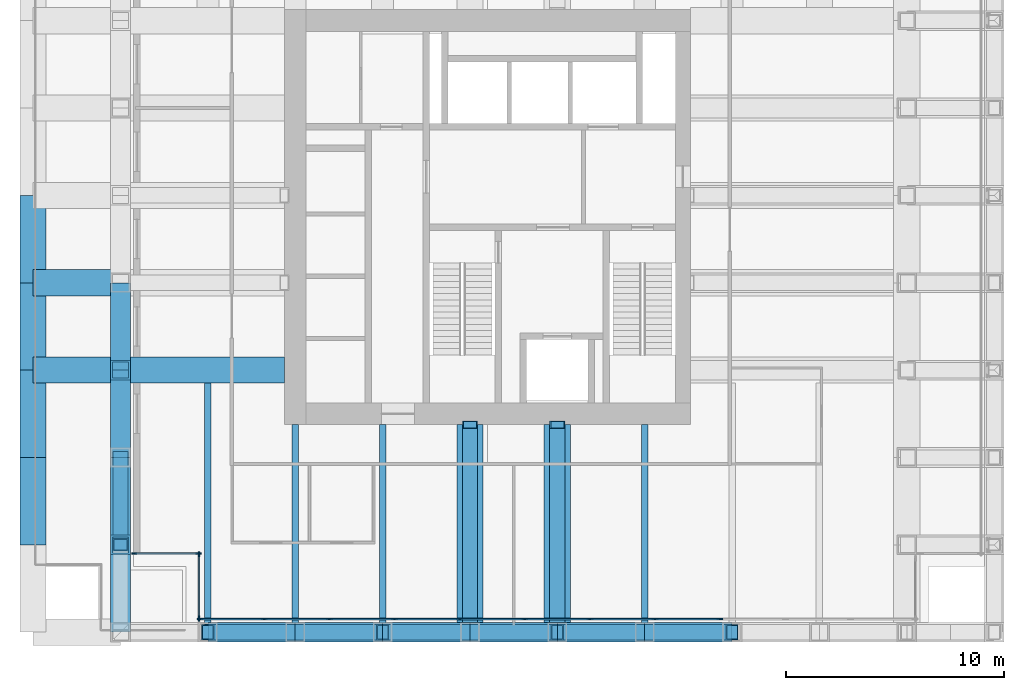
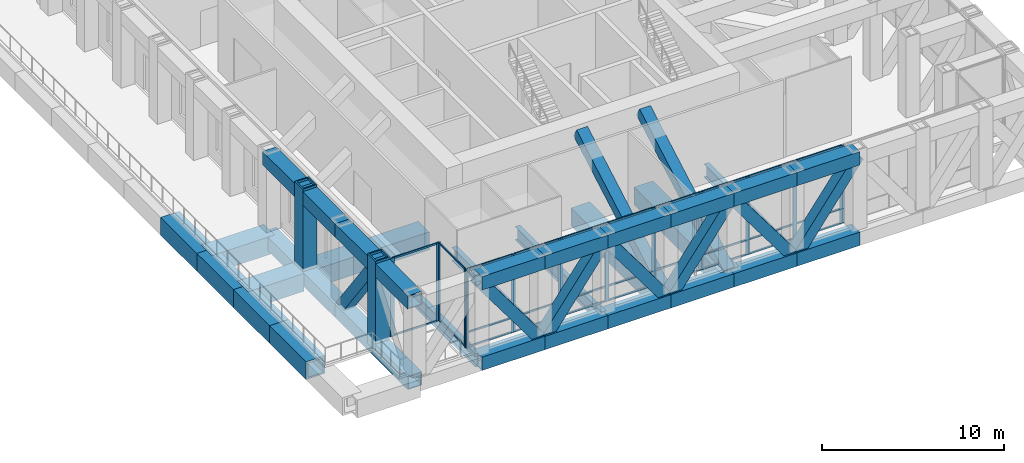
# One storey, part 2 of 12: 52 members, 31 beams, 3 elements without a shape of their own.
"""IFC4 building model written with IfcOpenShell, lengths in metres."""

from ifc_helpers import new_model, si_unit, direction, frame, origin, origin_2d, place, context, subcontext, project, spatial, rectangle, hollow_rectangle, i_section, extrude, material, material_profile, profile_set, type_object, element, aggregate, save


model = new_model("IFC4")

# Units and contexts
model_context = context("Model", 3, precision=1e-05, world=origin(), true_north=direction((0.0, 1.0)))
body_context = subcontext(model_context, "Body", "Model", "MODEL_VIEW")
ifc_project = project(units=[si_unit("LENGTHUNIT", "METRE"), si_unit("AREAUNIT", "SQUARE_METRE"), si_unit("VOLUMEUNIT", "CUBIC_METRE"), si_unit("PLANEANGLEUNIT", "RADIAN"), si_unit("MASSUNIT", "GRAM", prefix="KILO")], contexts=[model_context])

# Site, building, storey
site_placement = place(None, origin())
site = spatial("IfcSite", under=ifc_project, at=site_placement, CompositionType="ELEMENT")
building_placement = place(site_placement, origin())
building = spatial("IfcBuilding", under=site, at=building_placement, Name="Rimbunsela Tower", CompositionType="ELEMENT")
storey_placement = place(building_placement, frame((0.0, 0.0, 203.800048828125)))
storey = spatial("IfcBuildingStorey", under=building, at=storey_placement, Name="L49", CompositionType="ELEMENT", Elevation=203.800048828125)

# Beams
ifc_material_1 = material(Name="Steel BJ 55 (fy 410 MPa)", Category="steel")
ifc_material_profile_1 = material_profile(ifc_material_1, hollow_rectangle(XDim=1.199951171875, YDim=1.199951171875, WallThickness=0.10009765625, at=origin_2d()), Name="BOX 1200x1200x100")
ifc_profile_set_1 = profile_set([ifc_material_profile_1], Name="Steel BJ 55 (fy 410 MPa)")
beam_type_1 = type_object("IfcBeamType", Name="Beam BOX 1200x1200x100", PredefinedType="BEAM", material=ifc_profile_set_1)
beam_1_placement = place(storey_placement, frame((10.449951171875, 20.0, -0.75), z_axis=(1.0, 0.0, 0.0), x_axis=(0.0, 1.0, 0.0)))
element("IfcBeam", 1, at=beam_1_placement, inside=storey, type_object=beam_type_1, Name="Beam B5 L49", PredefinedType="BEAM", context=body_context, shape_type="SweptSolid", body=[
    extrude(hollow_rectangle(XDim=1.199951171875, YDim=1.199951171875, WallThickness=0.10009765625, at=origin_2d()), origin(), (0.0, 0.0, 1.0), 7.050048828125),
])
for number, where, z_axis, x_axis, name in (
    (2, (26.0, 8.0, -0.75), (0.0, 1.0, 0.0), (-1.0, 0.0, 0.0), "Beam B5 L49"),
    (3, (30.0, 8.0, -0.75), (0.0, 1.0, 0.0), (-1.0, 0.0, 0.0), "Beam B5 L49"),
):
    element("IfcBeam", number, at=place(storey_placement, frame(where, z_axis=z_axis, x_axis=x_axis)), inside=storey, type_object=beam_type_1, Name=name, PredefinedType="BEAM", context=body_context, shape_type="SweptSolid", body=[
        extrude(hollow_rectangle(XDim=1.199951171875, YDim=1.199951171875, WallThickness=0.10009765625, at=origin_2d()), origin(), (0.0, 0.0, 1.0), 9.5),
    ])
ifc_material_2 = material(Name="Steel BJ 55 (fy 410 MPa)", Category="steel")
ifc_material_profile_2 = material_profile(ifc_material_2, hollow_rectangle(XDim=1.199951171875, YDim=1.199951171875, WallThickness=0.125, at=origin_2d()), Name="BOX 1200x1200x125")
ifc_profile_set_2 = profile_set([ifc_material_profile_2], Name="Steel BJ 55 (fy 410 MPa)")
beam_type_2 = type_object("IfcBeamType", Name="Beam BOX 1200x1200x125", PredefinedType="BEAM", material=ifc_profile_set_2)
for number, where, z_axis, x_axis, name in (
    (4, (6.0, 12.0, -0.75), (0.0, 1.0, 0.0), (-1.0, 0.0, 0.0), "Beam B4 L49"),
    (5, (6.0, 16.0, -0.75), (0.0, 1.0, 0.0), (-1.0, 0.0, 0.0), "Beam B4 L49"),
    (6, (6.0, 20.0, -0.75), (0.0, 1.0, 0.0), (-1.0, 0.0, 0.0), "Beam B4 L49"),
):
    element("IfcBeam", number, at=place(storey_placement, frame(where, z_axis=z_axis, x_axis=x_axis)), inside=storey, type_object=beam_type_2, Name=name, PredefinedType="BEAM", context=body_context, shape_type="SweptSolid", body=[
        extrude(hollow_rectangle(XDim=1.199951171875, YDim=1.199951171875, WallThickness=0.125, at=origin_2d()), origin(), (0.0, 0.0, 1.0), 4.0),
    ])
beam_2_placement = place(storey_placement, frame((6.0, 20.0, -0.75), z_axis=(1.0, 0.0, 0.0), x_axis=(0.0, 1.0, 0.0)))
element("IfcBeam", 7, at=beam_2_placement, inside=storey, type_object=beam_type_2, Name="Beam B4 L49", PredefinedType="BEAM", context=body_context, shape_type="SweptSolid", body=[
    extrude(hollow_rectangle(XDim=1.199951171875, YDim=1.199951171875, WallThickness=0.125, at=origin_2d()), origin(), (0.0, 0.0, 1.0), 3.550048828125),
])
for number, where, z_axis, x_axis, name in (
    (8, (6.0, 24.0, -0.75), (0.0, 1.0, 0.0), (-1.0, 0.0, 0.0), "Beam B4 L49"),
    (9, (6.0, 24.0, -0.75), (1.0, 0.0, 0.0), (0.0, 1.0, 0.0), "Beam B4 L49"),
):
    element("IfcBeam", number, at=place(storey_placement, frame(where, z_axis=z_axis, x_axis=x_axis)), inside=storey, type_object=beam_type_2, Name=name, PredefinedType="BEAM", context=body_context, shape_type="SweptSolid", body=[
        extrude(hollow_rectangle(XDim=1.199951171875, YDim=1.199951171875, WallThickness=0.125, at=origin_2d()), origin(), (0.0, 0.0, 1.0), 4.0),
    ])
ifc_material_3 = material(Name="Steel BJ 55 (fy 410 MPa)", Category="steel")
ifc_material_profile_3 = material_profile(ifc_material_3, i_section(OverallWidth=0.300048828125, OverallDepth=0.89990234375, WebThickness=0.01611328125, FlangeThickness=0.028076171875, FilletRadius=0.028076171875, at=origin_2d()), Name="H 900x300x16x28")
ifc_profile_set_3 = profile_set([ifc_material_profile_3], Name="Steel BJ 55 (fy 410 MPa)")
beam_type_3 = type_object("IfcBeamType", Name="Beam H 900x300x16x28", PredefinedType="BEAM", material=ifc_profile_set_3)
beam_3_placement = place(storey_placement, frame((14.0, 8.0, -0.60009765625), z_axis=(0.0, 1.0, 0.0), x_axis=(-1.0, 0.0, 0.0)))
element("IfcBeam", 10, at=beam_3_placement, inside=storey, type_object=beam_type_3, Name="Beam B2 L49", PredefinedType="BEAM", context=body_context, shape_type="SweptSolid", body=[
    extrude(i_section(OverallWidth=0.300048828125, OverallDepth=0.89990234375, WebThickness=0.01611328125, FlangeThickness=0.028076171875, FilletRadius=0.028076171875, at=origin_2d()), origin(), (0.0, 0.0, 1.0), 11.39990234375),
])
for number, where, z_axis, x_axis, name in (
    (11, (18.0, 8.0, -0.60009765625), (0.0, 1.0, 0.0), (-1.0, 0.0, 0.0), "Beam B2 L49"),
    (12, (22.0, 8.0, -0.60009765625), (0.0, 1.0, 0.0), (-1.0, 0.0, 0.0), "Beam B2 L49"),
    (13, (34.0, 8.0, -0.60009765625), (0.0, 1.0, 0.0), (-1.0, 0.0, 0.0), "Beam B2 L49"),
):
    element("IfcBeam", number, at=place(storey_placement, frame(where, z_axis=z_axis, x_axis=x_axis)), inside=storey, type_object=beam_type_3, Name=name, PredefinedType="BEAM", context=body_context, shape_type="SweptSolid", body=[
        extrude(i_section(OverallWidth=0.300048828125, OverallDepth=0.89990234375, WebThickness=0.01611328125, FlangeThickness=0.028076171875, FilletRadius=0.028076171875, at=origin_2d()), origin(), (0.0, 0.0, 1.0), 9.5),
    ])

# Curtain wall, members
ifc_material_4 = material(Name="Aluminium curtain wall", Category="aluminium")
curtain_wall_type_1 = type_object("IfcCurtainWallType", Name="Corner glazing", PredefinedType="USERDEFINED", material=ifc_material_4)
curtain_wall_1_placement = place(storey_placement, origin())
curtain_wall_1 = element("IfcCurtainWall", 14, at=curtain_wall_1_placement, inside=storey, type_object=curtain_wall_type_1, Name="Corner glazing L49", ObjectType="CORNER GLAZING", PredefinedType="USERDEFINED")
ifc_material_5 = material(Name="Aluminium mullion", Category="aluminium")
ifc_material_profile_4 = material_profile(ifc_material_5, rectangle(XDim=0.06005859375, YDim=0.25, at=origin_2d()), Name="Mullion 60x250")
ifc_profile_set_4 = profile_set([ifc_material_profile_4], Name="Aluminium mullion")
member_type_1 = type_object("IfcMemberType", Name="Curtain wall mullion 60x250", PredefinedType="MULLION", material=ifc_profile_set_4)
member_1_placement = place(storey_placement, frame((10.6298828125, 11.60009765625, 0.0), z_axis=(0.0, 0.0, 1.0), x_axis=(0.0, 1.0, 0.0)))
member_1 = element("IfcMember", 15, at=member_1_placement, type_object=member_type_1, Name="CW5 mullion 1", PredefinedType="MULLION", context=body_context, shape_type="SweptSolid", body=[
    extrude(rectangle(XDim=0.06005859375, YDim=0.25, at=origin_2d()), origin(), (0.0, 0.0, 1.0), 5.25),
])
member_2_placement = place(storey_placement, frame((13.570068359375, 11.60009765625, 0.0), z_axis=(0.0, 0.0, 1.0), x_axis=(0.0, 1.0, 0.0)))
member_2 = element("IfcMember", 16, at=member_2_placement, type_object=member_type_1, Name="CW5 mullion 2", PredefinedType="MULLION", context=body_context, shape_type="SweptSolid", body=[
    extrude(rectangle(XDim=0.06005859375, YDim=0.25, at=origin_2d()), origin(), (0.0, 0.0, 1.0), 5.25),
])

curtain_wall_2_placement = place(storey_placement, origin())
curtain_wall_2 = element("IfcCurtainWall", 17, at=curtain_wall_2_placement, inside=storey, type_object=curtain_wall_type_1, Name="Corner glazing L49", ObjectType="CORNER GLAZING", PredefinedType="USERDEFINED")
member_3_placement = place(storey_placement, frame((13.60009765625, 11.570068359375, 0.0), z_axis=(0.0, 0.0, 1.0), x_axis=(1.0, 0.0, 0.0)))
member_3 = element("IfcMember", 18, at=member_3_placement, type_object=member_type_1, Name="CW5 mullion 1", PredefinedType="MULLION", context=body_context, shape_type="SweptSolid", body=[
    extrude(rectangle(XDim=0.06005859375, YDim=0.25, at=origin_2d()), origin(), (0.0, 0.0, 1.0), 5.25),
])
member_4_placement = place(storey_placement, frame((13.60009765625, 8.6298828125, 0.0), z_axis=(0.0, 0.0, 1.0), x_axis=(1.0, 0.0, 0.0)))
member_4 = element("IfcMember", 19, at=member_4_placement, type_object=member_type_1, Name="CW5 mullion 2", PredefinedType="MULLION", context=body_context, shape_type="SweptSolid", body=[
    extrude(rectangle(XDim=0.06005859375, YDim=0.25, at=origin_2d()), origin(), (0.0, 0.0, 1.0), 5.25),
])

ifc_material_6 = material(Name="Aluminium curtain wall", Category="aluminium")
curtain_wall_type_2 = type_object("IfcCurtainWallType", Name="Plant floor louvre wall", PredefinedType="USERDEFINED", material=ifc_material_6)
curtain_wall_3_placement = place(storey_placement, origin())
curtain_wall_3 = element("IfcCurtainWall", 20, at=curtain_wall_3_placement, inside=storey, type_object=curtain_wall_type_2, Name="Plant floor louvre wall L49", ObjectType="PLANT FLOOR LOUVRE WALL", PredefinedType="USERDEFINED")
member_5_placement = place(storey_placement, frame((13.6298828125, 8.60009765625, 0.0), z_axis=(0.0, 0.0, 1.0), x_axis=(0.0, 1.0, 0.0)))
member_5 = element("IfcMember", 21, at=member_5_placement, type_object=member_type_1, Name="CW3 mullion 1", PredefinedType="MULLION", context=body_context, shape_type="SweptSolid", body=[
    extrude(rectangle(XDim=0.06005859375, YDim=0.25, at=origin_2d()), origin(), (0.0, 0.0, 1.0), 5.25),
])
member_6_placement = place(storey_placement, frame((16.581787109375, 8.60009765625, 0.0), z_axis=(0.0, 0.0, 1.0), x_axis=(0.0, 1.0, 0.0)))
member_6 = element("IfcMember", 22, at=member_6_placement, type_object=member_type_1, Name="CW3 mullion 2", PredefinedType="MULLION", context=body_context, shape_type="SweptSolid", body=[
    extrude(rectangle(XDim=0.06005859375, YDim=0.25, at=origin_2d()), origin(), (0.0, 0.0, 1.0), 5.25),
])
member_7_placement = place(storey_placement, frame((19.563720703125, 8.60009765625, 0.0), z_axis=(0.0, 0.0, 1.0), x_axis=(0.0, 1.0, 0.0)))
member_7 = element("IfcMember", 23, at=member_7_placement, type_object=member_type_1, Name="CW3 mullion 3", PredefinedType="MULLION", context=body_context, shape_type="SweptSolid", body=[
    extrude(rectangle(XDim=0.06005859375, YDim=0.25, at=origin_2d()), origin(), (0.0, 0.0, 1.0), 5.25),
])
member_8_placement = place(storey_placement, frame((22.54541015625, 8.60009765625, 0.0), z_axis=(0.0, 0.0, 1.0), x_axis=(0.0, 1.0, 0.0)))
member_8 = element("IfcMember", 24, at=member_8_placement, type_object=member_type_1, Name="CW3 mullion 4", PredefinedType="MULLION", context=body_context, shape_type="SweptSolid", body=[
    extrude(rectangle(XDim=0.06005859375, YDim=0.25, at=origin_2d()), origin(), (0.0, 0.0, 1.0), 5.25),
])
member_9_placement = place(storey_placement, frame((25.52734375, 8.60009765625, 0.0), z_axis=(0.0, 0.0, 1.0), x_axis=(0.0, 1.0, 0.0)))
member_9 = element("IfcMember", 25, at=member_9_placement, type_object=member_type_1, Name="CW3 mullion 5", PredefinedType="MULLION", context=body_context, shape_type="SweptSolid", body=[
    extrude(rectangle(XDim=0.06005859375, YDim=0.25, at=origin_2d()), origin(), (0.0, 0.0, 1.0), 5.25),
])
member_10_placement = place(storey_placement, frame((28.509033203125, 8.60009765625, 0.0), z_axis=(0.0, 0.0, 1.0), x_axis=(0.0, 1.0, 0.0)))
member_10 = element("IfcMember", 26, at=member_10_placement, type_object=member_type_1, Name="CW3 mullion 6", PredefinedType="MULLION", context=body_context, shape_type="SweptSolid", body=[
    extrude(rectangle(XDim=0.06005859375, YDim=0.25, at=origin_2d()), origin(), (0.0, 0.0, 1.0), 5.25),
])
member_11_placement = place(storey_placement, frame((31.490966796875, 8.60009765625, 0.0), z_axis=(0.0, 0.0, 1.0), x_axis=(0.0, 1.0, 0.0)))
member_11 = element("IfcMember", 27, at=member_11_placement, type_object=member_type_1, Name="CW3 mullion 7", PredefinedType="MULLION", context=body_context, shape_type="SweptSolid", body=[
    extrude(rectangle(XDim=0.06005859375, YDim=0.25, at=origin_2d()), origin(), (0.0, 0.0, 1.0), 5.25),
])
member_12_placement = place(storey_placement, frame((34.47265625, 8.60009765625, 0.0), z_axis=(0.0, 0.0, 1.0), x_axis=(0.0, 1.0, 0.0)))
member_12 = element("IfcMember", 28, at=member_12_placement, type_object=member_type_1, Name="CW3 mullion 8", PredefinedType="MULLION", context=body_context, shape_type="SweptSolid", body=[
    extrude(rectangle(XDim=0.06005859375, YDim=0.25, at=origin_2d()), origin(), (0.0, 0.0, 1.0), 5.25),
])
member_13_placement = place(storey_placement, frame((37.45458984375, 8.60009765625, 0.0), z_axis=(0.0, 0.0, 1.0), x_axis=(0.0, 1.0, 0.0)))
member_13 = element("IfcMember", 29, at=member_13_placement, type_object=member_type_1, Name="CW3 mullion 9", PredefinedType="MULLION", context=body_context, shape_type="SweptSolid", body=[
    extrude(rectangle(XDim=0.06005859375, YDim=0.25, at=origin_2d()), origin(), (0.0, 0.0, 1.0), 5.25),
])

# Member
ifc_material_7 = material(Name="Aluminium transom", Category="aluminium")
ifc_material_profile_5 = material_profile(ifc_material_7, rectangle(XDim=0.06005859375, YDim=0.1201171875, at=origin_2d()), Name="Transom 60x120")
ifc_profile_set_5 = profile_set([ifc_material_profile_5], Name="Aluminium transom")
member_type_2 = type_object("IfcMemberType", Name="Curtain wall transom 60x120", PredefinedType="USERDEFINED", material=ifc_profile_set_5)
member_14_placement = place(storey_placement, frame((10.659912109375, 11.60009765625, 0.030029296875), z_axis=(1.0, 0.0, 0.0), x_axis=(0.0, 1.0, 0.0)))
member_14 = element("IfcMember", 30, at=member_14_placement, type_object=member_type_2, Name="CW5 transom 1.1", ObjectType="TRANSOM", PredefinedType="USERDEFINED", context=body_context, shape_type="SweptSolid", body=[
    extrude(rectangle(XDim=0.06005859375, YDim=0.1201171875, at=origin_2d()), origin(), (0.0, 0.0, 1.0), 2.880126953125),
])

member_15_placement = place(storey_placement, frame((10.659912109375, 11.60009765625, 5.219970703125), z_axis=(1.0, 0.0, 0.0), x_axis=(0.0, 1.0, 0.0)))
member_15 = element("IfcMember", 31, at=member_15_placement, type_object=member_type_2, Name="CW5 transom 1.2", ObjectType="TRANSOM", PredefinedType="USERDEFINED", context=body_context, shape_type="SweptSolid", body=[
    extrude(rectangle(XDim=0.06005859375, YDim=0.1201171875, at=origin_2d()), origin(), (0.0, 0.0, 1.0), 2.880126953125),
])

aggregate(curtain_wall_1, [member_1, member_2, member_14, member_15])

member_16_placement = place(storey_placement, frame((13.60009765625, 11.5400390625, 0.030029296875), z_axis=(0.0, -1.0, 0.0), x_axis=(1.0, 0.0, 0.0)))
member_16 = element("IfcMember", 32, at=member_16_placement, type_object=member_type_2, Name="CW5 transom 1.1", ObjectType="TRANSOM", PredefinedType="USERDEFINED", context=body_context, shape_type="SweptSolid", body=[
    extrude(rectangle(XDim=0.06005859375, YDim=0.1201171875, at=origin_2d()), origin(), (0.0, 0.0, 1.0), 2.880126953125),
])

member_17_placement = place(storey_placement, frame((13.60009765625, 11.5400390625, 5.219970703125), z_axis=(0.0, -1.0, 0.0), x_axis=(1.0, 0.0, 0.0)))
member_17 = element("IfcMember", 33, at=member_17_placement, type_object=member_type_2, Name="CW5 transom 1.2", ObjectType="TRANSOM", PredefinedType="USERDEFINED", context=body_context, shape_type="SweptSolid", body=[
    extrude(rectangle(XDim=0.06005859375, YDim=0.1201171875, at=origin_2d()), origin(), (0.0, 0.0, 1.0), 2.880126953125),
])

aggregate(curtain_wall_2, [member_3, member_4, member_16, member_17])

member_18_placement = place(storey_placement, frame((13.659912109375, 8.60009765625, 0.030029296875), z_axis=(1.0, 0.0, 0.0), x_axis=(0.0, 1.0, 0.0)))
member_18 = element("IfcMember", 34, at=member_18_placement, type_object=member_type_2, Name="CW3 transom 1.1", ObjectType="TRANSOM", PredefinedType="USERDEFINED", context=body_context, shape_type="SweptSolid", body=[
    extrude(rectangle(XDim=0.06005859375, YDim=0.1201171875, at=origin_2d()), origin(), (0.0, 0.0, 1.0), 2.891845703125),
])

member_19_placement = place(storey_placement, frame((13.659912109375, 8.60009765625, 1.0), z_axis=(1.0, 0.0, 0.0), x_axis=(0.0, 1.0, 0.0)))
member_19 = element("IfcMember", 35, at=member_19_placement, type_object=member_type_2, Name="CW3 transom 1.2", ObjectType="TRANSOM", PredefinedType="USERDEFINED", context=body_context, shape_type="SweptSolid", body=[
    extrude(rectangle(XDim=0.06005859375, YDim=0.1201171875, at=origin_2d()), origin(), (0.0, 0.0, 1.0), 2.891845703125),
])

member_20_placement = place(storey_placement, frame((13.659912109375, 8.60009765625, 5.219970703125), z_axis=(1.0, 0.0, 0.0), x_axis=(0.0, 1.0, 0.0)))
member_20 = element("IfcMember", 36, at=member_20_placement, type_object=member_type_2, Name="CW3 transom 1.3", ObjectType="TRANSOM", PredefinedType="USERDEFINED", context=body_context, shape_type="SweptSolid", body=[
    extrude(rectangle(XDim=0.06005859375, YDim=0.1201171875, at=origin_2d()), origin(), (0.0, 0.0, 1.0), 2.891845703125),
])

member_21_placement = place(storey_placement, frame((16.61181640625, 8.60009765625, 0.030029296875), z_axis=(1.0, 0.0, 0.0), x_axis=(0.0, 1.0, 0.0)))
member_21 = element("IfcMember", 37, at=member_21_placement, type_object=member_type_2, Name="CW3 transom 2.1", ObjectType="TRANSOM", PredefinedType="USERDEFINED", context=body_context, shape_type="SweptSolid", body=[
    extrude(rectangle(XDim=0.06005859375, YDim=0.1201171875, at=origin_2d()), origin(), (0.0, 0.0, 1.0), 2.921875),
])

member_22_placement = place(storey_placement, frame((16.61181640625, 8.60009765625, 1.0), z_axis=(1.0, 0.0, 0.0), x_axis=(0.0, 1.0, 0.0)))
member_22 = element("IfcMember", 38, at=member_22_placement, type_object=member_type_2, Name="CW3 transom 2.2", ObjectType="TRANSOM", PredefinedType="USERDEFINED", context=body_context, shape_type="SweptSolid", body=[
    extrude(rectangle(XDim=0.06005859375, YDim=0.1201171875, at=origin_2d()), origin(), (0.0, 0.0, 1.0), 2.921875),
])

member_23_placement = place(storey_placement, frame((16.61181640625, 8.60009765625, 5.219970703125), z_axis=(1.0, 0.0, 0.0), x_axis=(0.0, 1.0, 0.0)))
member_23 = element("IfcMember", 39, at=member_23_placement, type_object=member_type_2, Name="CW3 transom 2.3", ObjectType="TRANSOM", PredefinedType="USERDEFINED", context=body_context, shape_type="SweptSolid", body=[
    extrude(rectangle(XDim=0.06005859375, YDim=0.1201171875, at=origin_2d()), origin(), (0.0, 0.0, 1.0), 2.921875),
])

member_24_placement = place(storey_placement, frame((19.59375, 8.60009765625, 0.030029296875), z_axis=(1.0, 0.0, 0.0), x_axis=(0.0, 1.0, 0.0)))
member_24 = element("IfcMember", 40, at=member_24_placement, type_object=member_type_2, Name="CW3 transom 3.1", ObjectType="TRANSOM", PredefinedType="USERDEFINED", context=body_context, shape_type="SweptSolid", body=[
    extrude(rectangle(XDim=0.06005859375, YDim=0.1201171875, at=origin_2d()), origin(), (0.0, 0.0, 1.0), 2.921630859375),
])

member_25_placement = place(storey_placement, frame((19.59375, 8.60009765625, 1.0), z_axis=(1.0, 0.0, 0.0), x_axis=(0.0, 1.0, 0.0)))
member_25 = element("IfcMember", 41, at=member_25_placement, type_object=member_type_2, Name="CW3 transom 3.2", ObjectType="TRANSOM", PredefinedType="USERDEFINED", context=body_context, shape_type="SweptSolid", body=[
    extrude(rectangle(XDim=0.06005859375, YDim=0.1201171875, at=origin_2d()), origin(), (0.0, 0.0, 1.0), 2.921630859375),
])

member_26_placement = place(storey_placement, frame((19.59375, 8.60009765625, 5.219970703125), z_axis=(1.0, 0.0, 0.0), x_axis=(0.0, 1.0, 0.0)))
member_26 = element("IfcMember", 42, at=member_26_placement, type_object=member_type_2, Name="CW3 transom 3.3", ObjectType="TRANSOM", PredefinedType="USERDEFINED", context=body_context, shape_type="SweptSolid", body=[
    extrude(rectangle(XDim=0.06005859375, YDim=0.1201171875, at=origin_2d()), origin(), (0.0, 0.0, 1.0), 2.921630859375),
])

member_27_placement = place(storey_placement, frame((22.575439453125, 8.60009765625, 0.030029296875), z_axis=(1.0, 0.0, 0.0), x_axis=(0.0, 1.0, 0.0)))
member_27 = element("IfcMember", 43, at=member_27_placement, type_object=member_type_2, Name="CW3 transom 4.1", ObjectType="TRANSOM", PredefinedType="USERDEFINED", context=body_context, shape_type="SweptSolid", body=[
    extrude(rectangle(XDim=0.06005859375, YDim=0.1201171875, at=origin_2d()), origin(), (0.0, 0.0, 1.0), 2.921875),
])

member_28_placement = place(storey_placement, frame((22.575439453125, 8.60009765625, 1.0), z_axis=(1.0, 0.0, 0.0), x_axis=(0.0, 1.0, 0.0)))
member_28 = element("IfcMember", 44, at=member_28_placement, type_object=member_type_2, Name="CW3 transom 4.2", ObjectType="TRANSOM", PredefinedType="USERDEFINED", context=body_context, shape_type="SweptSolid", body=[
    extrude(rectangle(XDim=0.06005859375, YDim=0.1201171875, at=origin_2d()), origin(), (0.0, 0.0, 1.0), 2.921875),
])

member_29_placement = place(storey_placement, frame((22.575439453125, 8.60009765625, 5.219970703125), z_axis=(1.0, 0.0, 0.0), x_axis=(0.0, 1.0, 0.0)))
member_29 = element("IfcMember", 45, at=member_29_placement, type_object=member_type_2, Name="CW3 transom 4.3", ObjectType="TRANSOM", PredefinedType="USERDEFINED", context=body_context, shape_type="SweptSolid", body=[
    extrude(rectangle(XDim=0.06005859375, YDim=0.1201171875, at=origin_2d()), origin(), (0.0, 0.0, 1.0), 2.921875),
])

member_30_placement = place(storey_placement, frame((25.557373046875, 8.60009765625, 0.030029296875), z_axis=(1.0, 0.0, 0.0), x_axis=(0.0, 1.0, 0.0)))
member_30 = element("IfcMember", 46, at=member_30_placement, type_object=member_type_2, Name="CW3 transom 5.1", ObjectType="TRANSOM", PredefinedType="USERDEFINED", context=body_context, shape_type="SweptSolid", body=[
    extrude(rectangle(XDim=0.06005859375, YDim=0.1201171875, at=origin_2d()), origin(), (0.0, 0.0, 1.0), 2.921630859375),
])

member_31_placement = place(storey_placement, frame((25.557373046875, 8.60009765625, 1.0), z_axis=(1.0, 0.0, 0.0), x_axis=(0.0, 1.0, 0.0)))
member_31 = element("IfcMember", 47, at=member_31_placement, type_object=member_type_2, Name="CW3 transom 5.2", ObjectType="TRANSOM", PredefinedType="USERDEFINED", context=body_context, shape_type="SweptSolid", body=[
    extrude(rectangle(XDim=0.06005859375, YDim=0.1201171875, at=origin_2d()), origin(), (0.0, 0.0, 1.0), 2.921630859375),
])

member_32_placement = place(storey_placement, frame((25.557373046875, 8.60009765625, 5.219970703125), z_axis=(1.0, 0.0, 0.0), x_axis=(0.0, 1.0, 0.0)))
member_32 = element("IfcMember", 48, at=member_32_placement, type_object=member_type_2, Name="CW3 transom 5.3", ObjectType="TRANSOM", PredefinedType="USERDEFINED", context=body_context, shape_type="SweptSolid", body=[
    extrude(rectangle(XDim=0.06005859375, YDim=0.1201171875, at=origin_2d()), origin(), (0.0, 0.0, 1.0), 2.921630859375),
])

member_33_placement = place(storey_placement, frame((28.5390625, 8.60009765625, 0.030029296875), z_axis=(1.0, 0.0, 0.0), x_axis=(0.0, 1.0, 0.0)))
member_33 = element("IfcMember", 49, at=member_33_placement, type_object=member_type_2, Name="CW3 transom 6.1", ObjectType="TRANSOM", PredefinedType="USERDEFINED", context=body_context, shape_type="SweptSolid", body=[
    extrude(rectangle(XDim=0.06005859375, YDim=0.1201171875, at=origin_2d()), origin(), (0.0, 0.0, 1.0), 2.921875),
])

member_34_placement = place(storey_placement, frame((28.5390625, 8.60009765625, 1.0), z_axis=(1.0, 0.0, 0.0), x_axis=(0.0, 1.0, 0.0)))
member_34 = element("IfcMember", 50, at=member_34_placement, type_object=member_type_2, Name="CW3 transom 6.2", ObjectType="TRANSOM", PredefinedType="USERDEFINED", context=body_context, shape_type="SweptSolid", body=[
    extrude(rectangle(XDim=0.06005859375, YDim=0.1201171875, at=origin_2d()), origin(), (0.0, 0.0, 1.0), 2.921875),
])

member_35_placement = place(storey_placement, frame((28.5390625, 8.60009765625, 5.219970703125), z_axis=(1.0, 0.0, 0.0), x_axis=(0.0, 1.0, 0.0)))
member_35 = element("IfcMember", 51, at=member_35_placement, type_object=member_type_2, Name="CW3 transom 6.3", ObjectType="TRANSOM", PredefinedType="USERDEFINED", context=body_context, shape_type="SweptSolid", body=[
    extrude(rectangle(XDim=0.06005859375, YDim=0.1201171875, at=origin_2d()), origin(), (0.0, 0.0, 1.0), 2.921875),
])

member_36_placement = place(storey_placement, frame((31.52099609375, 8.60009765625, 0.030029296875), z_axis=(1.0, 0.0, 0.0), x_axis=(0.0, 1.0, 0.0)))
member_36 = element("IfcMember", 52, at=member_36_placement, type_object=member_type_2, Name="CW3 transom 7.1", ObjectType="TRANSOM", PredefinedType="USERDEFINED", context=body_context, shape_type="SweptSolid", body=[
    extrude(rectangle(XDim=0.06005859375, YDim=0.1201171875, at=origin_2d()), origin(), (0.0, 0.0, 1.0), 2.921630859375),
])

member_37_placement = place(storey_placement, frame((31.52099609375, 8.60009765625, 1.0), z_axis=(1.0, 0.0, 0.0), x_axis=(0.0, 1.0, 0.0)))
member_37 = element("IfcMember", 53, at=member_37_placement, type_object=member_type_2, Name="CW3 transom 7.2", ObjectType="TRANSOM", PredefinedType="USERDEFINED", context=body_context, shape_type="SweptSolid", body=[
    extrude(rectangle(XDim=0.06005859375, YDim=0.1201171875, at=origin_2d()), origin(), (0.0, 0.0, 1.0), 2.921630859375),
])

member_38_placement = place(storey_placement, frame((31.52099609375, 8.60009765625, 5.219970703125), z_axis=(1.0, 0.0, 0.0), x_axis=(0.0, 1.0, 0.0)))
member_38 = element("IfcMember", 54, at=member_38_placement, type_object=member_type_2, Name="CW3 transom 7.3", ObjectType="TRANSOM", PredefinedType="USERDEFINED", context=body_context, shape_type="SweptSolid", body=[
    extrude(rectangle(XDim=0.06005859375, YDim=0.1201171875, at=origin_2d()), origin(), (0.0, 0.0, 1.0), 2.921630859375),
])

member_39_placement = place(storey_placement, frame((34.502685546875, 8.60009765625, 0.030029296875), z_axis=(1.0, 0.0, 0.0), x_axis=(0.0, 1.0, 0.0)))
member_39 = element("IfcMember", 55, at=member_39_placement, type_object=member_type_2, Name="CW3 transom 8.1", ObjectType="TRANSOM", PredefinedType="USERDEFINED", context=body_context, shape_type="SweptSolid", body=[
    extrude(rectangle(XDim=0.06005859375, YDim=0.1201171875, at=origin_2d()), origin(), (0.0, 0.0, 1.0), 2.921875),
])

member_40_placement = place(storey_placement, frame((34.502685546875, 8.60009765625, 1.0), z_axis=(1.0, 0.0, 0.0), x_axis=(0.0, 1.0, 0.0)))
member_40 = element("IfcMember", 56, at=member_40_placement, type_object=member_type_2, Name="CW3 transom 8.2", ObjectType="TRANSOM", PredefinedType="USERDEFINED", context=body_context, shape_type="SweptSolid", body=[
    extrude(rectangle(XDim=0.06005859375, YDim=0.1201171875, at=origin_2d()), origin(), (0.0, 0.0, 1.0), 2.921875),
])

member_41_placement = place(storey_placement, frame((34.502685546875, 8.60009765625, 5.219970703125), z_axis=(1.0, 0.0, 0.0), x_axis=(0.0, 1.0, 0.0)))
member_41 = element("IfcMember", 57, at=member_41_placement, type_object=member_type_2, Name="CW3 transom 8.3", ObjectType="TRANSOM", PredefinedType="USERDEFINED", context=body_context, shape_type="SweptSolid", body=[
    extrude(rectangle(XDim=0.06005859375, YDim=0.1201171875, at=origin_2d()), origin(), (0.0, 0.0, 1.0), 2.921875),
])

aggregate(curtain_wall_3, [member_5, member_6, member_7, member_8, member_9, member_10, member_11, member_12, member_13, member_18, member_19, member_20, member_21, member_22, member_23, member_24, member_25, member_26, member_27, member_28, member_29, member_30, member_31, member_32, member_33, member_34, member_35, member_36, member_37, member_38, member_39, member_40, member_41])

# Members
ifc_material_8 = material(Name="Steel BJ 55 (fy 410 MPa)", Category="steel")
ifc_material_profile_6 = material_profile(ifc_material_8, hollow_rectangle(XDim=0.699951171875, YDim=0.699951171875, WallThickness=0.050048828125, at=origin_2d()), Name="BOX 700x700x50")
ifc_profile_set_6 = profile_set([ifc_material_profile_6], Name="Steel BJ 55 (fy 410 MPa)")
member_type_3 = type_object("IfcMemberType", Name="Outrigger brace BOX 700x700x50", PredefinedType="BRACE", material=ifc_profile_set_6)
for number, where, z_axis, x_axis, name in (
    (58, (26.0, 8.0, -0.60009765625), (0.0, 0.869361451527, 0.494176756433), (-1.0, 0.0, 0.0), "Outrigger brace OB2 S L49"),
    (59, (30.0, 8.0, -0.60009765625), (0.0, 0.869361451527, 0.494176756433), (-1.0, 0.0, 0.0), "Outrigger brace OB2 S L49"),
):
    element("IfcMember", number, at=place(storey_placement, frame(where, z_axis=z_axis, x_axis=x_axis)), inside=storey, type_object=member_type_3, Name=name, PredefinedType="BRACE", context=body_context, shape_type="SweptSolid", body=[
        extrude(hollow_rectangle(XDim=0.699951171875, YDim=0.699951171875, WallThickness=0.050048828125, at=origin_2d()), origin(), (0.0, 0.0, 1.0), 10.927490234375),
    ])

# Beams
ifc_material_9 = material(Name="Steel BJ 55 (fy 410 MPa)", Category="steel")
ifc_material_profile_7 = material_profile(ifc_material_9, hollow_rectangle(XDim=0.89990234375, YDim=0.89990234375, WallThickness=0.06005859375, at=origin_2d()), Name="BOX 900x900x60")
ifc_profile_set_7 = profile_set([ifc_material_profile_7], Name="Steel BJ 55 (fy 410 MPa)")
beam_type_4 = type_object("IfcBeamType", Name="Truss chord BOX 900x900x60", PredefinedType="USERDEFINED", material=ifc_profile_set_7)
for number, where, z_axis, x_axis, name in (
    (60, (14.0, 8.0, 4.800048828125), (1.0, 0.0, 0.0), (0.0, 1.0, 0.0), "Truss top chord TC4 S face L49"),
    (61, (18.0, 8.0, 4.800048828125), (1.0, 0.0, 0.0), (0.0, 1.0, 0.0), "Truss top chord TC4 S face L49"),
    (62, (22.0, 8.0, 4.800048828125), (1.0, 0.0, 0.0), (0.0, 1.0, 0.0), "Truss top chord TC4 S face L49"),
    (63, (26.0, 8.0, 4.800048828125), (1.0, 0.0, 0.0), (0.0, 1.0, 0.0), "Truss top chord TC4 S face L49"),
    (64, (30.0, 8.0, 4.800048828125), (1.0, 0.0, 0.0), (0.0, 1.0, 0.0), "Truss top chord TC4 S face L49"),
    (65, (34.0, 8.0, 4.800048828125), (1.0, 0.0, 0.0), (0.0, 1.0, 0.0), "Truss top chord TC4 S face L49"),
    (66, (10.0, 8.0, 4.800048828125), (0.0, 1.0, 0.0), (-1.0, 0.0, 0.0), "Truss top chord TC4 W face L49"),
    (67, (10.0, 12.0, 4.800048828125), (0.0, 1.0, 0.0), (-1.0, 0.0, 0.0), "Truss top chord TC4 W face L49"),
    (68, (10.0, 16.0, 4.800048828125), (0.0, 1.0, 0.0), (-1.0, 0.0, 0.0), "Truss top chord TC4 W face L49"),
    (69, (10.0, 20.0, 4.800048828125), (0.0, 1.0, 0.0), (-1.0, 0.0, 0.0), "Truss top chord TC4 W face L49"),
    (70, (14.0, 8.0, -0.60009765625), (1.0, 0.0, 0.0), (0.0, 1.0, 0.0), "Truss bottom chord TC4 S face L49"),
    (71, (18.0, 8.0, -0.60009765625), (1.0, 0.0, 0.0), (0.0, 1.0, 0.0), "Truss bottom chord TC4 S face L49"),
    (72, (22.0, 8.0, -0.60009765625), (1.0, 0.0, 0.0), (0.0, 1.0, 0.0), "Truss bottom chord TC4 S face L49"),
    (73, (26.0, 8.0, -0.60009765625), (1.0, 0.0, 0.0), (0.0, 1.0, 0.0), "Truss bottom chord TC4 S face L49"),
    (74, (30.0, 8.0, -0.60009765625), (1.0, 0.0, 0.0), (0.0, 1.0, 0.0), "Truss bottom chord TC4 S face L49"),
    (75, (34.0, 8.0, -0.60009765625), (1.0, 0.0, 0.0), (0.0, 1.0, 0.0), "Truss bottom chord TC4 S face L49"),
):
    element("IfcBeam", number, at=place(storey_placement, frame(where, z_axis=z_axis, x_axis=x_axis)), inside=storey, type_object=beam_type_4, Name=name, ObjectType="TRUSS CHORD", PredefinedType="USERDEFINED", context=body_context, shape_type="SweptSolid", body=[
        extrude(hollow_rectangle(XDim=0.89990234375, YDim=0.89990234375, WallThickness=0.06005859375, at=origin_2d()), origin(), (0.0, 0.0, 1.0), 4.0),
    ])
for number, where, z_axis, x_axis, name in (
    (76, (10.0, 8.0, -0.60009765625), (0.0, 1.0, 0.0), (-1.0, 0.0, 0.0), "Truss bottom chord TC4 W face L49"),
    (77, (10.0, 16.0, -0.60009765625), (0.0, 1.0, 0.0), (-1.0, 0.0, 0.0), "Truss bottom chord TC4 W face L49"),
):
    element("IfcBeam", number, at=place(storey_placement, frame(where, z_axis=z_axis, x_axis=x_axis)), inside=storey, type_object=beam_type_4, Name=name, ObjectType="TRUSS CHORD", PredefinedType="USERDEFINED", context=body_context, shape_type="SweptSolid", body=[
        extrude(hollow_rectangle(XDim=0.89990234375, YDim=0.89990234375, WallThickness=0.06005859375, at=origin_2d()), origin(), (0.0, 0.0, 1.0), 8.0),
    ])

# Members
ifc_material_10 = material(Name="Steel BJ 55 (fy 410 MPa)", Category="steel")
ifc_material_profile_8 = material_profile(ifc_material_10, hollow_rectangle(XDim=0.699951171875, YDim=0.699951171875, WallThickness=0.050048828125, at=origin_2d()), Name="BOX 700x700x50")
ifc_profile_set_8 = profile_set([ifc_material_profile_8], Name="Steel BJ 55 (fy 410 MPa)")
member_type_4 = type_object("IfcMemberType", Name="Truss diagonal BOX 700x700x50", PredefinedType="BRACE", material=ifc_profile_set_8)
for number, where, z_axis, x_axis, name in (
    (78, (14.0, 8.0, 4.800048828125), (0.595217124844, 0.0, -0.803564916041), (0.0, 1.0, 0.0), "Truss diagonal TD4 S face L49"),
    (79, (18.0, 8.0, -0.60009765625), (0.595217124844, 0.0, 0.803564916041), (0.0, 1.0, 0.0), "Truss diagonal TD4 S face L49"),
    (80, (22.0, 8.0, 4.800048828125), (0.595217124844, 0.0, -0.803564916041), (0.0, 1.0, 0.0), "Truss diagonal TD4 S face L49"),
    (81, (26.0, 8.0, -0.60009765625), (0.595217124844, 0.0, 0.803564916041), (0.0, 1.0, 0.0), "Truss diagonal TD4 S face L49"),
    (82, (30.0, 8.0, 4.800048828125), (0.595217124844, 0.0, -0.803564916041), (0.0, 1.0, 0.0), "Truss diagonal TD4 S face L49"),
    (83, (34.0, 8.0, -0.60009765625), (0.595217124844, 0.0, 0.803564916041), (0.0, 1.0, 0.0), "Truss diagonal TD4 S face L49"),
    (84, (10.0, 12.0, 4.800048828125), (0.0, 0.595217124844, -0.803564916041), (-1.0, 0.0, 0.0), "Truss diagonal TD4 W face L49"),
):
    element("IfcMember", number, at=place(storey_placement, frame(where, z_axis=z_axis, x_axis=x_axis)), inside=storey, type_object=member_type_4, Name=name, PredefinedType="BRACE", context=body_context, shape_type="SweptSolid", body=[
        extrude(hollow_rectangle(XDim=0.699951171875, YDim=0.699951171875, WallThickness=0.050048828125, at=origin_2d()), origin(), (0.0, 0.0, 1.0), 6.72021484375),
    ])
ifc_material_11 = material(Name="Steel BJ 55 (fy 410 MPa)", Category="steel")
ifc_material_profile_9 = material_profile(ifc_material_11, hollow_rectangle(XDim=0.89990234375, YDim=0.89990234375, WallThickness=0.080078125, at=origin_2d()), Name="BOX 900x900x80")
ifc_profile_set_9 = profile_set([ifc_material_profile_9], Name="Steel BJ 55 (fy 410 MPa)")
member_type_5 = type_object("IfcMemberType", Name="Truss post BOX 900x900x80", PredefinedType="POST", material=ifc_profile_set_9)
for number, where, z_axis, x_axis, name in (
    (85, (10.0, 12.0, -0.60009765625), (0.0, 0.0, 1.0), (1.0, 0.0, 0.0), "Truss post TP3 5/E L49"),
    (86, (10.0, 20.0, -0.60009765625), (0.0, 0.0, 1.0), (1.0, 0.0, 0.0), "Truss post TP3 5/G L49"),
):
    element("IfcMember", number, at=place(storey_placement, frame(where, z_axis=z_axis, x_axis=x_axis)), inside=storey, type_object=member_type_5, Name=name, PredefinedType="POST", context=body_context, shape_type="SweptSolid", body=[
        extrude(hollow_rectangle(XDim=0.89990234375, YDim=0.89990234375, WallThickness=0.080078125, at=origin_2d()), origin(), (0.0, 0.0, 1.0), 6.0),
    ])

save(model, "model.ifc")
